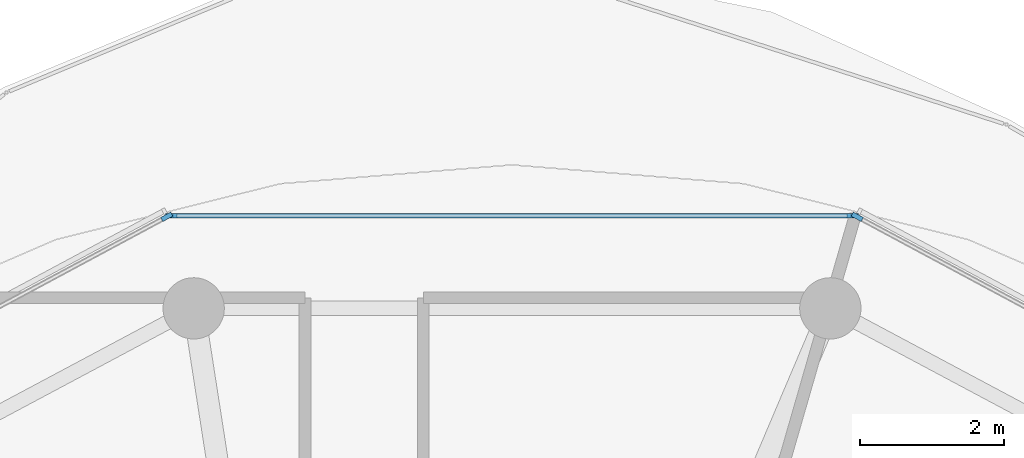
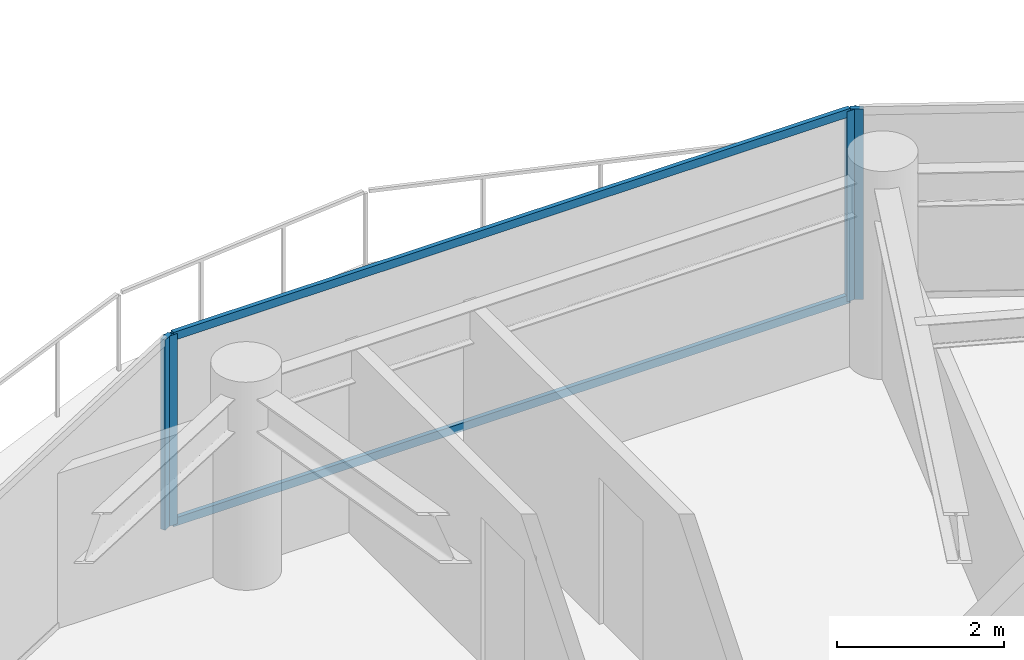
# One storey, part 9 of 24: 6 members, 3 elements without a shape of their own.
"""IFC4 building model written with IfcOpenShell, lengths in metres."""

from ifc_helpers import new_model, si_unit, direction, frame, origin, origin_2d, place, context, subcontext, project, spatial, rectangle, extrude, source, transform, mapped, material, layer, layer_set, material_profile, profile_set, type_object, type_shapes, element, aggregate, save


model = new_model("IFC4")

# Units and contexts
model_context = context("Model", 3, precision=1e-05, world=origin(), true_north=direction((0.0, 1.0)))
body_context = subcontext(model_context, "Body", "Model", "MODEL_VIEW")
ifc_project = project(units=[si_unit("LENGTHUNIT", "METRE"), si_unit("AREAUNIT", "SQUARE_METRE"), si_unit("VOLUMEUNIT", "CUBIC_METRE"), si_unit("PLANEANGLEUNIT", "RADIAN"), si_unit("MASSUNIT", "GRAM", prefix="KILO")], contexts=[model_context])

# Site, building, storey
site_placement = place(None, origin())
site = spatial("IfcSite", under=ifc_project, at=site_placement, CompositionType="ELEMENT")
building_placement = place(site_placement, origin())
building = spatial("IfcBuilding", under=site, at=building_placement, Name="Norrkilde Senior Care Towers", CompositionType="ELEMENT")
storey_placement = place(building_placement, frame((0.0, 0.0, 90.14990234375)))
storey = spatial("IfcBuildingStorey", under=building, at=storey_placement, Name="L27", CompositionType="ELEMENT", Elevation=90.14990234375)

# Curtain wall, member
ifc_material_1 = material(Name="Triple Low-E Insulated Glazing", Category="glass")
ifc_layer = layer(ifc_material_1, 0.195068359375)
ifc_layer_set = layer_set([ifc_layer], Name="Triple Low-E Insulated Glazing")
curtain_wall_type = type_object("IfcCurtainWallType", Name="CW3 Zone 2 Assisted Living Curtain Wall", PredefinedType="NOTDEFINED", material=ifc_layer_set)
curtain_wall_1_placement = place(storey_placement, origin())
curtain_wall_1 = element("IfcCurtainWall", 1, at=curtain_wall_1_placement, inside=storey, type_object=curtain_wall_type, Name="L27 Drum W Curtain Wall 01", PredefinedType="NOTDEFINED")
ifc_material_2 = material(Name="Anodised Aluminium", Category="aluminium")
ifc_material_profile_1 = material_profile(ifc_material_2, rectangle(XDim=0.06494140625, YDim=0.159912109375, at=origin_2d()), Name="ALU MULL 65x160")
ifc_profile_set_1 = profile_set([ifc_material_profile_1], Name="Anodised Aluminium")
member_type_1 = type_object("IfcMemberType", Name="Curtain Wall Mullion Z1-Z2 65x160", PredefinedType="MULLION", material=ifc_profile_set_1)
shared_shape_1 = source(origin(), body_context, "Body", "SweptSolid", [
    extrude(rectangle(XDim=0.06494140625, YDim=0.159912109375, at=origin_2d()), origin(), (0.0, 0.0, 1.0), 2.7900390625),
])
type_shapes(member_type_1, [shared_shape_1])
member_1_placement = place(storey_placement, frame((-21.164306640625, 16.482666015625, 0.0), z_axis=(0.0, 0.0, 1.0), x_axis=(0.472769402511, 0.881186184668, 0.0)))
member_1 = element("IfcMember", 2, at=member_1_placement, type_object=member_type_1, Name="CW-3 mullion 1", PredefinedType="MULLION", context=body_context, shape_type="MappedRepresentation", body=[
    mapped(shared_shape_1, transform((0.0, 0.0, 0.0), x_axis=(1.0, 0.0, 0.0), y_axis=(0.0, 1.0, 0.0), z_axis=(0.0, 0.0, 1.0), scale=1.0)),
])
aggregate(curtain_wall_1, [member_1])

# Curtain wall, members
curtain_wall_2_placement = place(storey_placement, origin())
curtain_wall_2 = element("IfcCurtainWall", 3, at=curtain_wall_2_placement, inside=storey, type_object=curtain_wall_type, Name="L27 Drum W Curtain Wall 02", PredefinedType="NOTDEFINED")
member_2_placement = place(storey_placement, frame((-30.674560546875, 16.498046875, 0.0), z_axis=(0.0, 0.0, 1.0), x_axis=(0.0, 1.0, 0.0)))
member_2 = element("IfcMember", 4, at=member_2_placement, type_object=member_type_1, Name="CW-3 mullion 1", PredefinedType="MULLION", context=body_context, shape_type="MappedRepresentation", body=[
    mapped(shared_shape_1, transform((0.0, 0.0, 0.0), x_axis=(1.0, 0.0, 0.0), y_axis=(0.0, 1.0, 0.0), z_axis=(0.0, 0.0, 1.0), scale=1.0)),
])
member_3_placement = place(storey_placement, frame((-21.225341796875, 16.498046875, 0.0), z_axis=(0.0, 0.0, 1.0), x_axis=(0.0, 1.0, 0.0)))
member_3 = element("IfcMember", 5, at=member_3_placement, type_object=member_type_1, Name="CW-3 mullion 2", PredefinedType="MULLION", context=body_context, shape_type="MappedRepresentation", body=[
    mapped(shared_shape_1, transform((0.0, 0.0, 0.0), x_axis=(1.0, 0.0, 0.0), y_axis=(0.0, 1.0, 0.0), z_axis=(0.0, 0.0, 1.0), scale=1.0)),
])

# Curtain wall, member
curtain_wall_3_placement = place(storey_placement, origin())
curtain_wall_3 = element("IfcCurtainWall", 6, at=curtain_wall_3_placement, inside=storey, type_object=curtain_wall_type, Name="L27 Drum W Curtain Wall 03", PredefinedType="NOTDEFINED")
member_4_placement = place(storey_placement, frame((-30.73583984375, 16.482666015625, 0.0), z_axis=(0.0, 0.0, 1.0), x_axis=(-0.472769402511, 0.881186184668, 0.0)))
member_4 = element("IfcMember", 7, at=member_4_placement, type_object=member_type_1, Name="CW-3 mullion 2", PredefinedType="MULLION", context=body_context, shape_type="MappedRepresentation", body=[
    mapped(shared_shape_1, transform((0.0, 0.0, 0.0), x_axis=(1.0, 0.0, 0.0), y_axis=(0.0, 1.0, 0.0), z_axis=(0.0, 0.0, 1.0), scale=1.0)),
])
aggregate(curtain_wall_3, [member_4])

# Member
ifc_material_profile_2 = material_profile(ifc_material_2, rectangle(XDim=0.06005859375, YDim=0.1201171875, at=origin_2d()), Name="ALU TRAN 60x120")
ifc_profile_set_2 = profile_set([ifc_material_profile_2], Name="Anodised Aluminium")
member_type_2 = type_object("IfcMemberType", Name="Curtain Wall Transom Typical 60x120", PredefinedType="USERDEFINED", material=ifc_profile_set_2)
shared_shape_2 = source(origin(), body_context, "Body", "SweptSolid", [
    extrude(rectangle(XDim=0.06005859375, YDim=0.1201171875, at=origin_2d()), origin(), (0.0, 0.0, 1.0), 9.38427734375),
])
type_shapes(member_type_2, [shared_shape_2])
member_5_placement = place(storey_placement, frame((-30.64208984375, 16.498046875, 0.030029296875), z_axis=(1.0, 0.0, 0.0), x_axis=(0.0, 1.0, 0.0)))
member_5 = element("IfcMember", 8, at=member_5_placement, type_object=member_type_2, Name="CW-3 transom 1.1", ObjectType="TRANSOM", PredefinedType="USERDEFINED", context=body_context, shape_type="MappedRepresentation", body=[
    mapped(shared_shape_2, transform((0.0, 0.0, 0.0), x_axis=(1.0, 0.0, 0.0), y_axis=(0.0, 1.0, 0.0), z_axis=(0.0, 0.0, 1.0), scale=1.0)),
])

member_6_placement = place(storey_placement, frame((-30.64208984375, 16.498046875, 2.760009765625), z_axis=(1.0, 0.0, 0.0), x_axis=(0.0, 1.0, 0.0)))
member_6 = element("IfcMember", 9, at=member_6_placement, type_object=member_type_2, Name="CW-3 transom 1.2", ObjectType="TRANSOM", PredefinedType="USERDEFINED", context=body_context, shape_type="MappedRepresentation", body=[
    mapped(shared_shape_2, transform((0.0, 0.0, 0.0), x_axis=(1.0, 0.0, 0.0), y_axis=(0.0, 1.0, 0.0), z_axis=(0.0, 0.0, 1.0), scale=1.0)),
])

aggregate(curtain_wall_2, [member_2, member_3, member_5, member_6])

save(model, "model.ifc")
